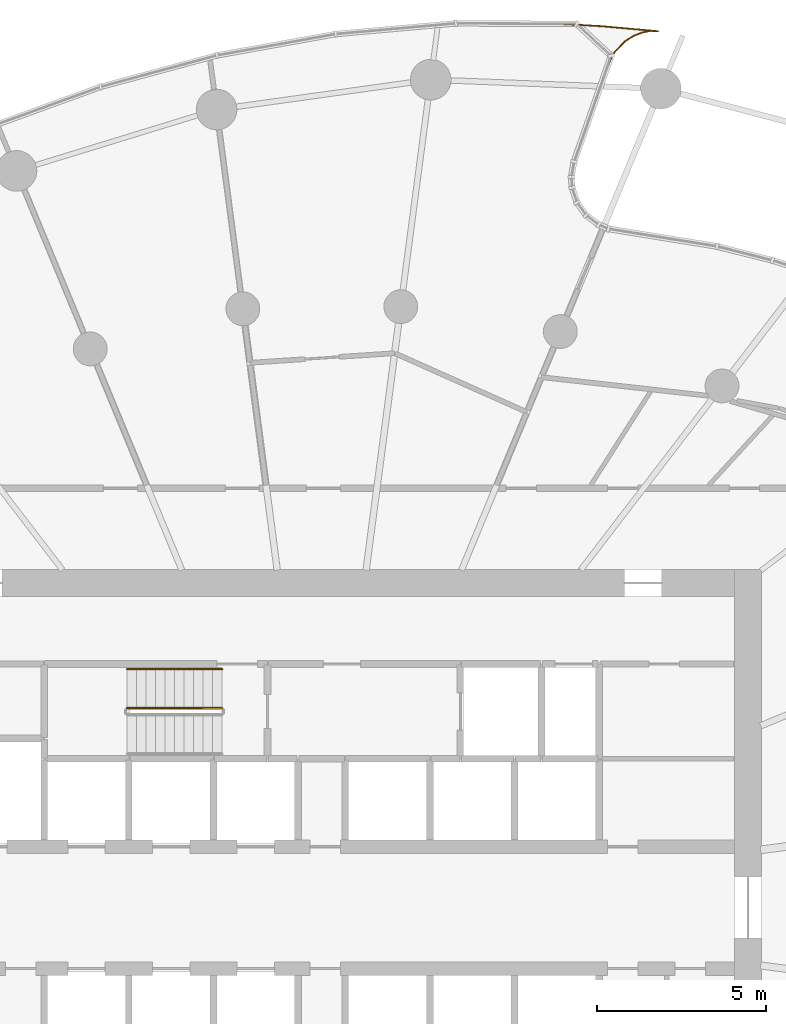
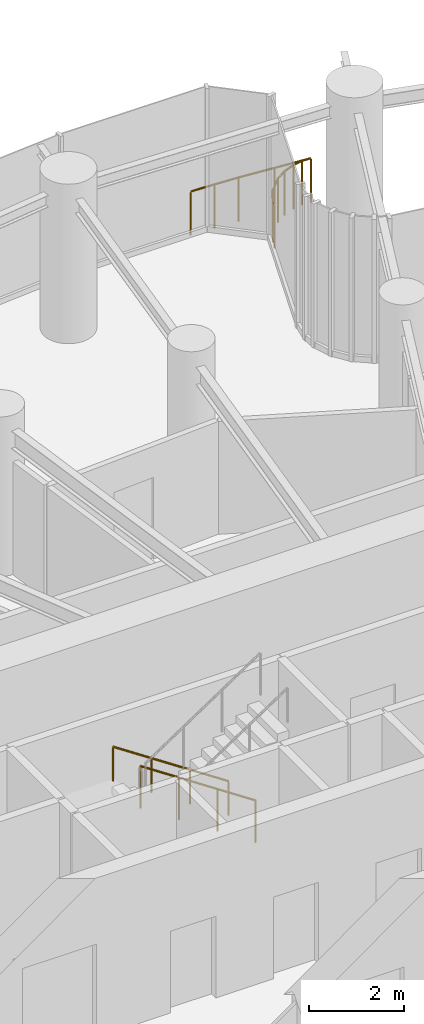
# One storey, part 21 of 21: 3 railings.
"""IFC4 building model written with IfcOpenShell, lengths in metres."""

from ifc_helpers import new_model, si_unit, direction, frame, origin, origin_2d, place, context, subcontext, project, spatial, circle, extrude, material, type_object, element, save


model = new_model("IFC4")

# Units and contexts
model_context = context("Model", 3, precision=1e-05, world=origin(), true_north=direction((0.0, 1.0)))
body_context = subcontext(model_context, "Body", "Model", "MODEL_VIEW")
ifc_project = project(units=[si_unit("LENGTHUNIT", "METRE"), si_unit("AREAUNIT", "SQUARE_METRE"), si_unit("VOLUMEUNIT", "CUBIC_METRE"), si_unit("PLANEANGLEUNIT", "RADIAN"), si_unit("MASSUNIT", "GRAM", prefix="KILO")], contexts=[model_context])

# Site, building, storey
site_placement = place(None, origin())
site = spatial("IfcSite", under=ifc_project, at=site_placement, CompositionType="ELEMENT")
building_placement = place(site_placement, origin())
building = spatial("IfcBuilding", under=site, at=building_placement, Name="Spindrift Exchange Tower", CompositionType="ELEMENT")
storey_placement = place(building_placement, frame((0.0, 0.0, 83.89990234375)))
storey = spatial("IfcBuildingStorey", under=building, at=storey_placement, Name="L19", CompositionType="ELEMENT", Elevation=83.89990234375)

# Railings
ifc_material_1 = material(Name="Steel balustrade", Category="steel")
railing_type_1 = type_object("IfcRailingType", Name="RL-STAIR-GUARD", PredefinedType="GUARDRAIL", material=ifc_material_1)
railing_1_placement = place(storey_placement, frame((49.050048828125, 53.89990234375, 0.1865234375)))
element("IfcRailing", 1, at=railing_1_placement, inside=storey, type_object=railing_type_1, Name="L19 ST1 stair guard 1", PredefinedType="GUARDRAIL", context=body_context, shape_type="SweptSolid", body=[
    extrude(circle(Radius=0.02392578125, at=origin_2d()), frame((0.0, 0.0, 1.076171875), z_axis=(-0.832485552168, 0.0, 0.554046753832), x_axis=(0.0, -1.0, 0.0)), (0.0, 0.0, 1.0), 3.363525390625),
    extrude(circle(Radius=0.02099609375, at=origin_2d()), origin(), (0.0, 0.0, 1.0), 1.052001953125),
    extrude(circle(Radius=0.02099609375, at=origin_2d()), frame((-0.933349609375, 0.0, 0.62109375)), (0.0, 0.0, 1.0), 1.052001953125),
    extrude(circle(Radius=0.02099609375, at=origin_2d()), frame((-1.86669921875, 0.0, 1.242431640625)), (0.0, 0.0, 1.0), 1.052001953125),
    extrude(circle(Radius=0.02099609375, at=origin_2d()), frame((-2.800048828125, 0.0, 1.863525390625)), (0.0, 0.0, 1.0), 1.052001953125),
])
ifc_material_2 = material(Name="Steel tubular handrail", Category="steel")
railing_type_2 = type_object("IfcRailingType", Name="RL-STAIR-HAND", PredefinedType="HANDRAIL", material=ifc_material_2)
railing_2_placement = place(storey_placement, frame((49.050048828125, 55.050048828125, 0.1865234375)))
element("IfcRailing", 2, at=railing_2_placement, inside=storey, type_object=railing_type_2, Name="L19 ST1 stair handrail 1", PredefinedType="HANDRAIL", context=body_context, shape_type="SweptSolid", body=[
    extrude(circle(Radius=0.02392578125, at=origin_2d()), frame((0.0, 0.0, 0.8759765625), z_axis=(-0.832485552168, 0.0, 0.554046753832), x_axis=(0.0, -1.0, 0.0)), (0.0, 0.0, 1.0), 3.363525390625),
    extrude(circle(Radius=0.02099609375, at=origin_2d()), origin(), (0.0, 0.0, 1.0), 0.851806640625),
    extrude(circle(Radius=0.02099609375, at=origin_2d()), frame((-0.933349609375, 0.0, 0.62109375)), (0.0, 0.0, 1.0), 0.851806640625),
    extrude(circle(Radius=0.02099609375, at=origin_2d()), frame((-1.86669921875, 0.0, 1.242431640625)), (0.0, 0.0, 1.0), 0.851806640625),
    extrude(circle(Radius=0.02099609375, at=origin_2d()), frame((-2.800048828125, 0.0, 1.863525390625)), (0.0, 0.0, 1.0), 0.851806640625),
])
ifc_material_3 = material(Name="Bronze anodised aluminium balustrade", Category="aluminium")
railing_type_3 = type_object("IfcRailingType", Name="TERRACE GUARDRAIL 1150", PredefinedType="GUARDRAIL", material=ifc_material_3)
railing_3_placement = place(storey_placement, frame((59.14453125, 74.123779296875, 0.0)))
element("IfcRailing", 3, at=railing_3_placement, inside=storey, type_object=railing_type_3, Name="L19 Sky Garden Edge Guardrail 1", PredefinedType="GUARDRAIL", context=body_context, shape_type="SweptSolid", body=[
    extrude(circle(Radius=0.02392578125, at=origin_2d()), frame((0.0, 0.0, 1.1259765625), z_axis=(0.998455047231, -0.05556544482, 0.0), x_axis=(0.05556544482, 0.998455047231, 0.0)), (0.0, 0.0, 1.0), 1.133544921875),
    extrude(circle(Radius=0.02392578125, at=origin_2d()), frame((1.1318359375, -0.06298828125, 1.1259765625), z_axis=(0.995962199343, -0.089773590108, 0.0), x_axis=(0.089773590108, 0.995962199343, 0.0)), (0.0, 0.0, 1.0), 0.837646484375),
    extrude(circle(Radius=0.02392578125, at=origin_2d()), frame((1.966064453125, -0.13818359375, 1.1259765625), z_axis=(0.995985883914, -0.089510440972, 0.0), x_axis=(0.089510440972, 0.995985883914, 0.0)), (0.0, 0.0, 1.0), 0.83740234375),
    extrude(circle(Radius=0.02392578125, at=origin_2d()), frame((2.800048828125, -0.213134765625, 1.1259765625), z_axis=(-0.999162371737, 0.040921325805, 0.0), x_axis=(-0.040921325805, -0.999162371737, 0.0)), (0.0, 0.0, 1.0), 0.21484375),
    extrude(circle(Radius=0.02392578125, at=origin_2d()), frame((2.58544921875, -0.204345703125, 1.1259765625), z_axis=(-0.983408393944, -0.181405431893, 0.0), x_axis=(0.181405431893, -0.983408393944, 0.0)), (0.0, 0.0, 1.0), 0.230224609375),
    extrude(circle(Radius=0.02392578125, at=origin_2d()), frame((2.359130859375, -0.24609375, 1.1259765625), z_axis=(-0.9349692903, -0.354728665598, 0.0), x_axis=(0.354728665598, -0.9349692903, 0.0)), (0.0, 0.0, 1.0), 0.296630859375),
    extrude(circle(Radius=0.02392578125, at=origin_2d()), frame((2.081787109375, -0.351318359375, 1.1259765625), z_axis=(-0.847767246884, -0.530368452221, 0.0), x_axis=(0.530368452221, -0.847767246884, 0.0)), (0.0, 0.0, 1.0), 0.296875),
    extrude(circle(Radius=0.02392578125, at=origin_2d()), frame((1.830078125, -0.5087890625, 1.1259765625), z_axis=(-0.6949179638, -0.71908902341, 0.0), x_axis=(0.71908902341, -0.6949179638, 0.0)), (0.0, 0.0, 1.0), 0.4443359375),
    extrude(circle(Radius=0.02392578125, at=origin_2d()), frame((1.521240234375, -0.828369140625, 1.1259765625), z_axis=(-0.500030943131, -0.866007538022, 0.0), x_axis=(0.866007538022, -0.500030943131, 0.0)), (0.0, 0.0, 1.0), 0.296875),
    extrude(circle(Radius=0.02392578125, at=origin_2d()), frame((1.372802734375, -1.08544921875, 1.1259765625), z_axis=(-0.353528671319, -0.935423689328, 0.0), x_axis=(0.935423689328, -0.353528671319, 0.0)), (0.0, 0.0, 1.0), 0.222412109375),
    extrude(circle(Radius=0.02099609375, at=origin_2d()), origin(), (0.0, 0.0, 1.0), 1.101806640625),
    extrude(circle(Radius=0.02099609375, at=origin_2d()), frame((0.56591796875, -0.031494140625, 0.0)), (0.0, 0.0, 1.0), 1.101806640625),
    extrude(circle(Radius=0.02099609375, at=origin_2d()), frame((1.1318359375, -0.06298828125, 0.0)), (0.0, 0.0, 1.0), 1.101806640625),
    extrude(circle(Radius=0.02099609375, at=origin_2d()), frame((1.966064453125, -0.13818359375, 0.0)), (0.0, 0.0, 1.0), 1.101806640625),
    extrude(circle(Radius=0.02099609375, at=origin_2d()), frame((2.800048828125, -0.213134765625, 0.0)), (0.0, 0.0, 1.0), 1.101806640625),
    extrude(circle(Radius=0.02099609375, at=origin_2d()), frame((2.58544921875, -0.204345703125, 0.0)), (0.0, 0.0, 1.0), 1.101806640625),
    extrude(circle(Radius=0.02099609375, at=origin_2d()), frame((2.359130859375, -0.24609375, 0.0)), (0.0, 0.0, 1.0), 1.101806640625),
    extrude(circle(Radius=0.02099609375, at=origin_2d()), frame((2.081787109375, -0.351318359375, 0.0)), (0.0, 0.0, 1.0), 1.101806640625),
    extrude(circle(Radius=0.02099609375, at=origin_2d()), frame((1.830078125, -0.5087890625, 0.0)), (0.0, 0.0, 1.0), 1.101806640625),
    extrude(circle(Radius=0.02099609375, at=origin_2d()), frame((1.521240234375, -0.828369140625, 0.0)), (0.0, 0.0, 1.0), 1.101806640625),
    extrude(circle(Radius=0.02099609375, at=origin_2d()), frame((1.372802734375, -1.08544921875, 0.0)), (0.0, 0.0, 1.0), 1.101806640625),
    extrude(circle(Radius=0.02099609375, at=origin_2d()), frame((1.294189453125, -1.29345703125, 0.0)), (0.0, 0.0, 1.0), 1.101806640625),
])

save(model, "model.ifc")
